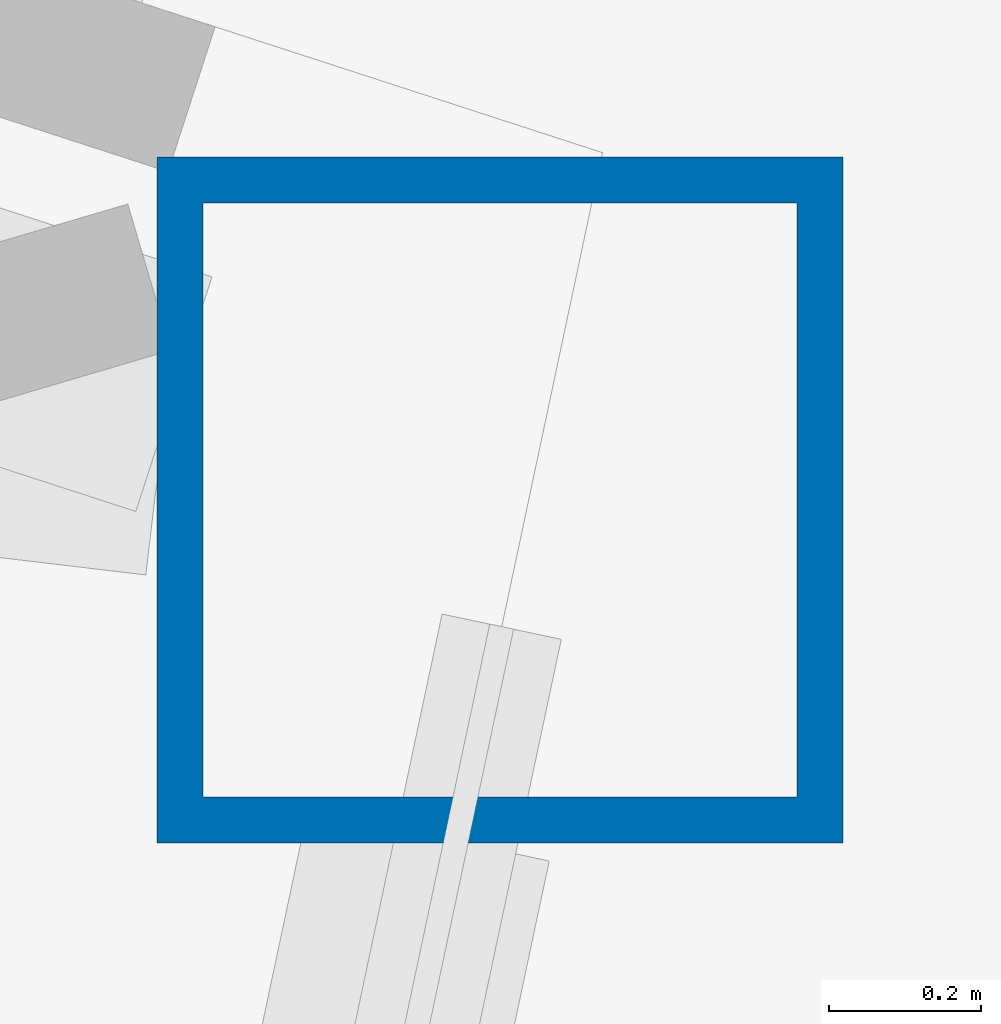
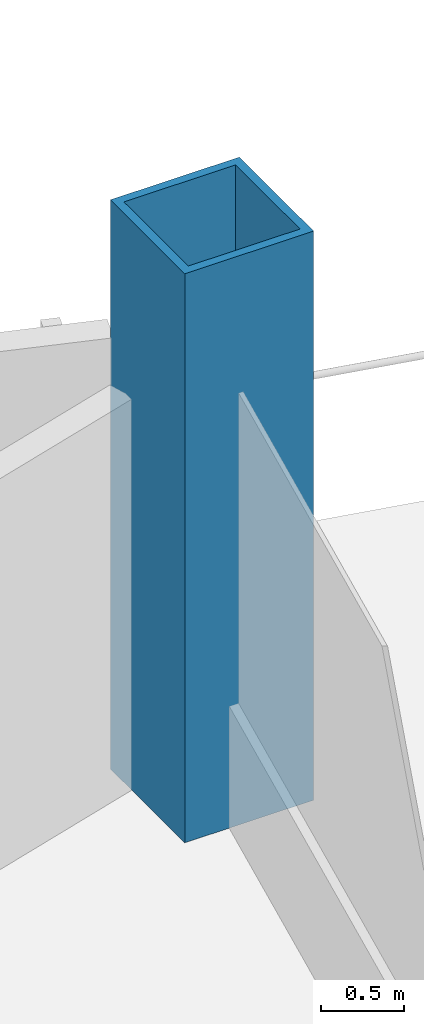
# One storey, part 2 of 21: 1 column.
"""IFC4 building model written with IfcOpenShell, lengths in metres."""

from ifc_helpers import new_model, si_unit, direction, frame, origin, origin_2d, place, context, subcontext, project, spatial, hollow_rectangle, extrude, material, material_profile, profile_set, type_object, element, save


model = new_model("IFC4")

# Units and contexts
model_context = context("Model", 3, precision=1e-05, world=origin(), true_north=direction((0.0, 1.0)))
body_context = subcontext(model_context, "Body", "Model", "MODEL_VIEW")
ifc_project = project(units=[si_unit("LENGTHUNIT", "METRE"), si_unit("AREAUNIT", "SQUARE_METRE"), si_unit("VOLUMEUNIT", "CUBIC_METRE"), si_unit("PLANEANGLEUNIT", "RADIAN"), si_unit("MASSUNIT", "GRAM", prefix="KILO")], contexts=[model_context])

# Site, building, storey
site_placement = place(None, origin())
site = spatial("IfcSite", under=ifc_project, at=site_placement, CompositionType="ELEMENT")
building_placement = place(site_placement, origin())
building = spatial("IfcBuilding", under=site, at=building_placement, Name="Cormorant Prow Tower", CompositionType="ELEMENT")
storey_placement = place(building_placement, frame((0.0, 0.0, 112.199951171875)))
storey = spatial("IfcBuildingStorey", under=building, at=storey_placement, Name="L23", CompositionType="ELEMENT", Elevation=112.199951171875)

# Column
ifc_material = material(Name="Structural steel ASTM A572 Gr 50", Category="steel")
ifc_material_profile = material_profile(ifc_material, hollow_rectangle(XDim=0.89990234375, YDim=0.89990234375, WallThickness=0.06005859375, at=origin_2d()), Name="Box 900x900x60")
ifc_profile_set = profile_set([ifc_material_profile], Name="Structural steel ASTM A572 Gr 50")
column_type = type_object("IfcColumnType", Name="Perimeter box column 900x900x60", PredefinedType="COLUMN", material=ifc_profile_set)
column_placement = place(storey_placement, frame((32.1962890625, -4.967041015625, 0.0), z_axis=(0.0, 0.0, 1.0), x_axis=(1.0, 0.0, 0.0)))
element("IfcColumn", 1, at=column_placement, inside=storey, type_object=column_type, Name="Perimeter column C3 at ENE01 L23", PredefinedType="COLUMN", context=body_context, shape_type="SweptSolid", body=[
    extrude(hollow_rectangle(XDim=0.89990234375, YDim=0.89990234375, WallThickness=0.06005859375, at=origin_2d()), origin(), (0.0, 0.0, 1.0), 4.199951171875),
])

save(model, "model.ifc")
